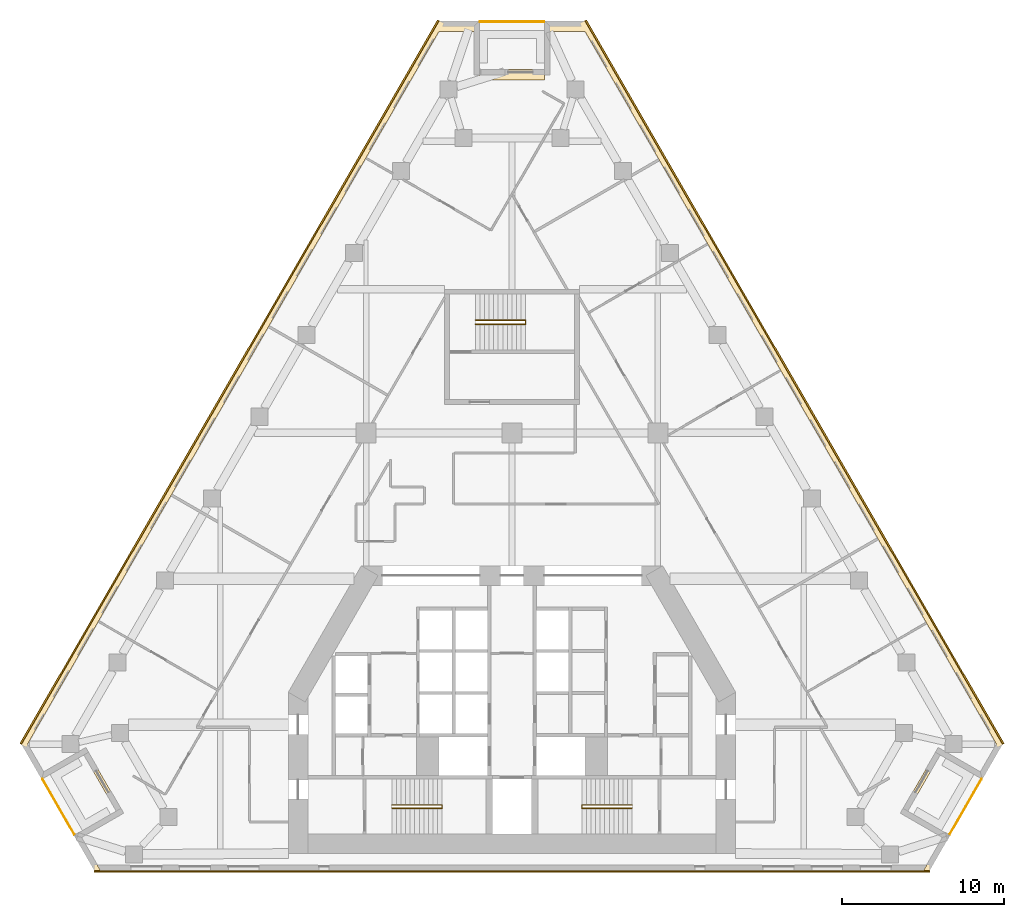
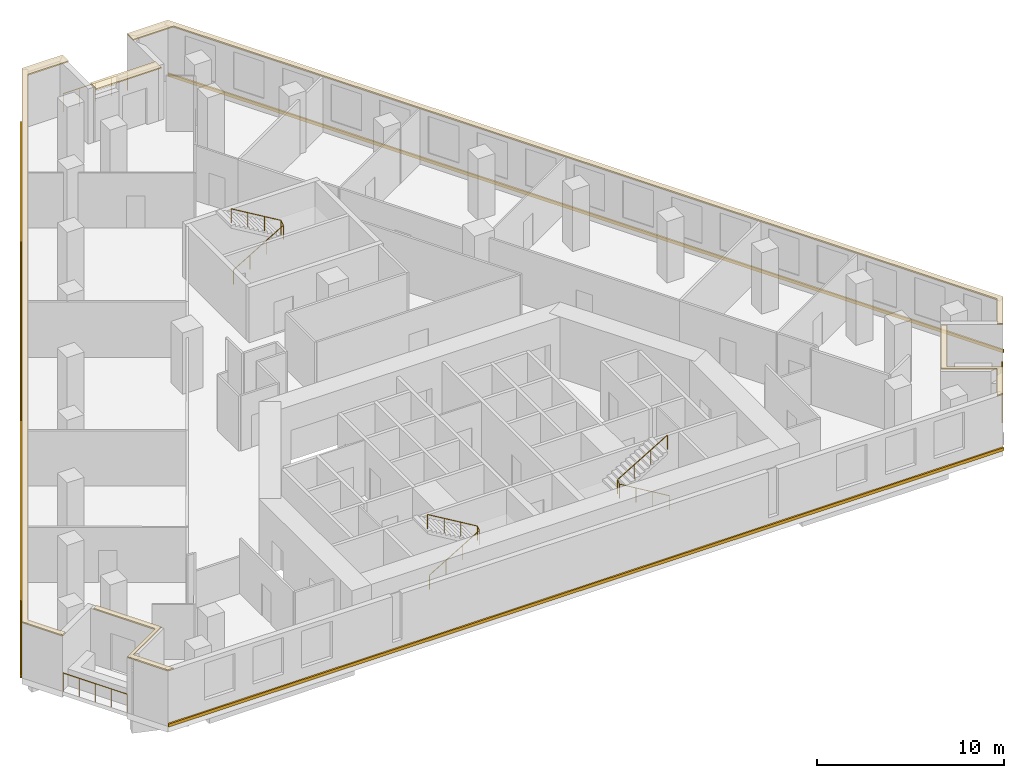
# One storey, part 10 of 10: 8 coverings, 6 railings.
"""IFC4 building model written with IfcOpenShell, lengths in metres."""

from ifc_helpers import new_model, si_unit, direction, frame, origin, origin_2d, place, context, subcontext, project, spatial, polyline, circle, outline, extrude, material, layer, layer_set, type_object, element, save


model = new_model("IFC4")

# Units and contexts
model_context = context("Model", 3, precision=1e-05, world=origin(), true_north=direction((0.0, 1.0)))
body_context = subcontext(model_context, "Body", "Model", "MODEL_VIEW")
ifc_project = project(units=[si_unit("LENGTHUNIT", "METRE"), si_unit("AREAUNIT", "SQUARE_METRE"), si_unit("VOLUMEUNIT", "CUBIC_METRE"), si_unit("PLANEANGLEUNIT", "RADIAN"), si_unit("MASSUNIT", "GRAM", prefix="KILO")], contexts=[model_context])

# Site, building, storey
site_placement = place(None, origin())
site = spatial("IfcSite", under=ifc_project, at=site_placement, CompositionType="ELEMENT")
building_placement = place(site_placement, origin())
building = spatial("IfcBuilding", under=site, at=building_placement, Name="Fogline Exchange Tower", CompositionType="ELEMENT")
storey_placement = place(building_placement, frame((0.0, 0.0, 116.10009765625)))
storey = spatial("IfcBuildingStorey", under=building, at=storey_placement, Name="L25", CompositionType="ELEMENT", Elevation=116.10009765625)

# Coverings
ifc_material_1 = material(Name="Granite", Category="masonry")
ifc_layer = layer(ifc_material_1, 0.080078125)
ifc_layer_set = layer_set([ifc_layer], Name="CP1")
covering_type_1 = type_object("IfcCoveringType", Name="CP1", PredefinedType="USERDEFINED", material=ifc_layer_set)
covering_1_placement = place(storey_placement, frame((0.0, 0.0, 3.599853515625)))
element("IfcCovering", 1, at=covering_1_placement, inside=storey, type_object=covering_type_1, Name="Ledge coping L25", ObjectType="COPING", PredefinedType="USERDEFINED", context=body_context, shape_type="SweptSolid", body=[
    extrude(outline(polyline([(-29.015625, 5.629150390625), (-28.736328125, 5.790283203125), (-29.893310546875, 7.794189453125), (-4.5, 51.776611328125), (-2.0, 51.776611328125), (-2.0, 52.421630859375), (-4.5, 52.421630859375), (-30.265625, 7.794189453125), (-29.015625, 5.629150390625)])), origin(), (0.0, 0.0, 1.0), 0.080078125),
])
covering_2_placement = place(storey_placement, frame((0.0, 0.0, 3.599853515625)))
element("IfcCovering", 2, at=covering_2_placement, inside=storey, type_object=covering_type_1, Name="Ledge coping L25", ObjectType="COPING", PredefinedType="USERDEFINED", context=body_context, shape_type="SweptSolid", body=[
    extrude(outline(polyline([(-25.765625, 0.0), (-25.393310546875, 0.0), (-26.643310546875, 2.1650390625), (-24.045166015625, 3.6650390625), (-26.045166015625, 7.129150390625), (-26.324462890625, 6.968017578125), (-24.41748046875, 3.6650390625), (-27.015625, 2.1650390625), (-25.765625, 0.0)])), origin(), (0.0, 0.0, 1.0), 0.080078125),
])
covering_3_placement = place(storey_placement, frame((0.0, 0.0, 3.599853515625)))
element("IfcCovering", 3, at=covering_3_placement, inside=storey, type_object=covering_type_1, Name="Ledge coping L25", ObjectType="COPING", PredefinedType="USERDEFINED", context=body_context, shape_type="SweptSolid", body=[
    extrude(outline(polyline([(24.41748046875, 3.6650390625), (26.324462890625, 6.968017578125), (26.045166015625, 7.129150390625), (24.045166015625, 3.6650390625), (26.643310546875, 2.1650390625), (25.393310546875, 0.0), (25.765625, 0.0), (27.015625, 2.1650390625), (24.41748046875, 3.6650390625)])), origin(), (0.0, 0.0, 1.0), 0.080078125),
])
covering_4_placement = place(storey_placement, frame((0.0, 0.0, 3.599853515625)))
element("IfcCovering", 4, at=covering_4_placement, inside=storey, type_object=covering_type_1, Name="Ledge coping L25", ObjectType="COPING", PredefinedType="USERDEFINED", context=body_context, shape_type="SweptSolid", body=[
    extrude(outline(polyline([(2.0, 52.421630859375), (2.0, 51.776611328125), (4.5, 51.776611328125), (29.893310546875, 7.794189453125), (28.736328125, 5.790283203125), (29.015625, 5.629150390625), (30.265625, 7.794189453125), (4.5, 52.421630859375), (2.0, 52.421630859375)])), origin(), (0.0, 0.0, 1.0), 0.080078125),
])
covering_5_placement = place(storey_placement, frame((0.0, 0.0, 3.599853515625)))
element("IfcCovering", 5, at=covering_5_placement, inside=storey, type_object=covering_type_1, Name="Ledge coping L25", ObjectType="COPING", PredefinedType="USERDEFINED", context=body_context, shape_type="SweptSolid", body=[
    extrude(outline(polyline([(2.0, 49.421630859375), (-2.0, 49.421630859375), (-2.0, 48.776611328125), (2.0, 48.776611328125), (2.0, 49.421630859375)])), origin(), (0.0, 0.0, 1.0), 0.080078125),
])

# Railings
ifc_material_2 = material(Name="Stainless steel 304", Category="steel")
railing_type_1 = type_object("IfcRailingType", Name="G1", PredefinedType="GUARDRAIL", material=ifc_material_2)
railing_1_placement = place(storey_placement, frame((-28.9619140625, 5.635986328125, 0.0)))
element("IfcRailing", 6, at=railing_1_placement, inside=storey, type_object=railing_type_1, Name="Balcony guard L25 SW", PredefinedType="GUARDRAIL", context=body_context, shape_type="SweptSolid", body=[
    extrude(circle(Radius=0.02392578125, at=origin_2d()), frame((0.0, 0.0, 1.17578125), z_axis=(0.500000102728, -0.866025344474, 0.0), x_axis=(0.866025344474, 0.500000102728, 0.0)), (0.0, 0.0, 1.0), 3.9580078125),
    extrude(circle(Radius=0.02099609375, at=origin_2d()), origin(), (0.0, 0.0, 1.0), 1.15185546875),
    extrude(circle(Radius=0.02099609375, at=origin_2d()), frame((0.49462890625, -0.85693359375, 0.0)), (0.0, 0.0, 1.0), 1.15185546875),
    extrude(circle(Radius=0.02099609375, at=origin_2d()), frame((0.989501953125, -1.7138671875, 0.0)), (0.0, 0.0, 1.0), 1.15185546875),
    extrude(circle(Radius=0.02099609375, at=origin_2d()), frame((1.484375, -2.57080078125, 0.0)), (0.0, 0.0, 1.0), 1.15185546875),
    extrude(circle(Radius=0.02099609375, at=origin_2d()), frame((1.97900390625, -3.427734375, 0.0)), (0.0, 0.0, 1.0), 1.15185546875),
])
railing_2_placement = place(storey_placement, frame((26.98291015625, 2.208251953125, 0.0)))
element("IfcRailing", 7, at=railing_2_placement, inside=storey, type_object=railing_type_1, Name="Balcony guard L25 SE", PredefinedType="GUARDRAIL", context=body_context, shape_type="SweptSolid", body=[
    extrude(circle(Radius=0.02392578125, at=origin_2d()), frame((0.0, 0.0, 1.17578125), z_axis=(0.500000102728, 0.866025344474, 0.0), x_axis=(-0.866025344474, 0.500000102728, 0.0)), (0.0, 0.0, 1.0), 3.9580078125),
    extrude(circle(Radius=0.02099609375, at=origin_2d()), origin(), (0.0, 0.0, 1.0), 1.15185546875),
    extrude(circle(Radius=0.02099609375, at=origin_2d()), frame((0.49462890625, 0.85693359375, 0.0)), (0.0, 0.0, 1.0), 1.15185546875),
    extrude(circle(Radius=0.02099609375, at=origin_2d()), frame((0.989501953125, 1.7138671875, 0.0)), (0.0, 0.0, 1.0), 1.15185546875),
    extrude(circle(Radius=0.02099609375, at=origin_2d()), frame((1.484375, 2.57080078125, 0.0)), (0.0, 0.0, 1.0), 1.15185546875),
    extrude(circle(Radius=0.02099609375, at=origin_2d()), frame((1.97900390625, 3.427734375, 0.0)), (0.0, 0.0, 1.0), 1.15185546875),
])
railing_3_placement = place(storey_placement, frame((1.97900390625, 52.37158203125, 0.0)))
element("IfcRailing", 8, at=railing_3_placement, inside=storey, type_object=railing_type_1, Name="Balcony guard L25 N", PredefinedType="GUARDRAIL", context=body_context, shape_type="SweptSolid", body=[
    extrude(circle(Radius=0.02392578125, at=origin_2d()), frame((0.0, 0.0, 1.17578125), z_axis=(-1.0, 0.0, 0.0), x_axis=(0.0, -1.0, 0.0)), (0.0, 0.0, 1.0), 3.9580078125),
    extrude(circle(Radius=0.02099609375, at=origin_2d()), origin(), (0.0, 0.0, 1.0), 1.15185546875),
    extrude(circle(Radius=0.02099609375, at=origin_2d()), frame((-0.989501953125, 0.0, 0.0)), (0.0, 0.0, 1.0), 1.15185546875),
    extrude(circle(Radius=0.02099609375, at=origin_2d()), frame((-1.97900390625, 0.0, 0.0)), (0.0, 0.0, 1.0), 1.15185546875),
    extrude(circle(Radius=0.02099609375, at=origin_2d()), frame((-2.968505859375, 0.0, 0.0)), (0.0, 0.0, 1.0), 1.15185546875),
    extrude(circle(Radius=0.02099609375, at=origin_2d()), frame((-3.9580078125, 0.0, 0.0)), (0.0, 0.0, 1.0), 1.15185546875),
])
ifc_material_3 = material(Name="Steel Q235B", Category="steel")
railing_type_2 = type_object("IfcRailingType", Name="RL-HR", PredefinedType="HANDRAIL", material=ifc_material_3)
railing_4_placement = place(storey_placement, frame((-7.39990234375, 3.85009765625, 0.16650390625)))
element("IfcRailing", 9, at=railing_4_placement, inside=storey, type_object=railing_type_2, Name="Handrail ST1", PredefinedType="HANDRAIL", context=body_context, shape_type="SweptSolid", body=[
    extrude(circle(Radius=0.02392578125, at=origin_2d()), frame((0.0, 0.0, 0.92578125), z_axis=(0.859260807169, 0.0, 0.511537745687), x_axis=(0.0, 1.0, 0.0)), (0.0, 0.0, 1.0), 3.584228515625),
    extrude(circle(Radius=0.02392578125, at=origin_2d()), frame((3.079833984375, 0.0, 2.75927734375), z_axis=(0.0, 0.768451954486, 0.639907488351), x_axis=(-1.0, 0.0, 0.0)), (0.0, 0.0, 1.0), 0.26025390625),
    extrude(circle(Radius=0.02392578125, at=origin_2d()), frame((3.079833984375, 0.199951171875, 2.92578125), z_axis=(-0.859260807169, 0.0, 0.511537745687), x_axis=(0.0, -1.0, 0.0)), (0.0, 0.0, 1.0), 3.584228515625),
    extrude(circle(Radius=0.02099609375, at=origin_2d()), origin(), (0.0, 0.0, 1.0), 0.90185546875),
    extrude(circle(Radius=0.02099609375, at=origin_2d()), frame((1.026611328125, 0.0, 0.611083984375)), (0.0, 0.0, 1.0), 0.90185546875),
    extrude(circle(Radius=0.02099609375, at=origin_2d()), frame((2.05322265625, 0.0, 1.222412109375)), (0.0, 0.0, 1.0), 0.90185546875),
    extrude(circle(Radius=0.02099609375, at=origin_2d()), frame((3.079833984375, 0.0, 1.83349609375)), (0.0, 0.0, 1.0), 0.90185546875),
    extrude(circle(Radius=0.02099609375, at=origin_2d()), frame((3.079833984375, 0.199951171875, 2.0)), (0.0, 0.0, 1.0), 0.90185546875),
    extrude(circle(Radius=0.02099609375, at=origin_2d()), frame((2.05322265625, 0.199951171875, 2.611083984375)), (0.0, 0.0, 1.0), 0.90185546875),
    extrude(circle(Radius=0.02099609375, at=origin_2d()), frame((1.026611328125, 0.199951171875, 3.222412109375)), (0.0, 0.0, 1.0), 0.90185546875),
    extrude(circle(Radius=0.02099609375, at=origin_2d()), frame((0.0, 0.199951171875, 3.83349609375)), (0.0, 0.0, 1.0), 0.90185546875),
])
railing_5_placement = place(storey_placement, frame((7.39990234375, 3.85009765625, 0.16650390625)))
element("IfcRailing", 10, at=railing_5_placement, inside=storey, type_object=railing_type_2, Name="Handrail ST2", PredefinedType="HANDRAIL", context=body_context, shape_type="SweptSolid", body=[
    extrude(circle(Radius=0.02392578125, at=origin_2d()), frame((0.0, 0.0, 0.92578125), z_axis=(-0.859260807169, 0.0, 0.511537745687), x_axis=(0.0, -1.0, 0.0)), (0.0, 0.0, 1.0), 3.584228515625),
    extrude(circle(Radius=0.02392578125, at=origin_2d()), frame((-3.079833984375, 0.0, 2.75927734375), z_axis=(0.0, 0.768451954486, 0.639907488351), x_axis=(-1.0, 0.0, 0.0)), (0.0, 0.0, 1.0), 0.26025390625),
    extrude(circle(Radius=0.02392578125, at=origin_2d()), frame((-3.079833984375, 0.199951171875, 2.92578125), z_axis=(0.859260807169, 0.0, 0.511537745687), x_axis=(0.0, 1.0, 0.0)), (0.0, 0.0, 1.0), 3.584228515625),
    extrude(circle(Radius=0.02099609375, at=origin_2d()), origin(), (0.0, 0.0, 1.0), 0.90185546875),
    extrude(circle(Radius=0.02099609375, at=origin_2d()), frame((-1.026611328125, 0.0, 0.611083984375)), (0.0, 0.0, 1.0), 0.90185546875),
    extrude(circle(Radius=0.02099609375, at=origin_2d()), frame((-2.05322265625, 0.0, 1.222412109375)), (0.0, 0.0, 1.0), 0.90185546875),
    extrude(circle(Radius=0.02099609375, at=origin_2d()), frame((-3.079833984375, 0.0, 1.83349609375)), (0.0, 0.0, 1.0), 0.90185546875),
    extrude(circle(Radius=0.02099609375, at=origin_2d()), frame((-3.079833984375, 0.199951171875, 2.0)), (0.0, 0.0, 1.0), 0.90185546875),
    extrude(circle(Radius=0.02099609375, at=origin_2d()), frame((-2.05322265625, 0.199951171875, 2.611083984375)), (0.0, 0.0, 1.0), 0.90185546875),
    extrude(circle(Radius=0.02099609375, at=origin_2d()), frame((-1.026611328125, 0.199951171875, 3.222412109375)), (0.0, 0.0, 1.0), 0.90185546875),
    extrude(circle(Radius=0.02099609375, at=origin_2d()), frame((0.0, 0.199951171875, 3.83349609375)), (0.0, 0.0, 1.0), 0.90185546875),
])
railing_6_placement = place(storey_placement, frame((-2.25, 33.70703125, 0.16650390625)))
element("IfcRailing", 11, at=railing_6_placement, inside=storey, type_object=railing_type_2, Name="Handrail ST3", PredefinedType="HANDRAIL", context=body_context, shape_type="SweptSolid", body=[
    extrude(circle(Radius=0.02392578125, at=origin_2d()), frame((0.0, 0.0, 0.92578125), z_axis=(0.85927862911, 0.0, 0.511507807912), x_axis=(0.0, 1.0, 0.0)), (0.0, 0.0, 1.0), 3.58447265625),
    extrude(circle(Radius=0.02392578125, at=origin_2d()), frame((3.080078125, 0.0, 2.75927734375), z_axis=(0.0, 0.832300300006, 0.554325004496), x_axis=(-1.0, 0.0, 0.0)), (0.0, 0.0, 1.0), 0.30029296875),
    extrude(circle(Radius=0.02392578125, at=origin_2d()), frame((3.080078125, 0.25, 2.92578125), z_axis=(-0.85927862911, 0.0, 0.511507807912), x_axis=(0.0, -1.0, 0.0)), (0.0, 0.0, 1.0), 3.58447265625),
    extrude(circle(Radius=0.02099609375, at=origin_2d()), origin(), (0.0, 0.0, 1.0), 0.90185546875),
    extrude(circle(Radius=0.02099609375, at=origin_2d()), frame((1.026611328125, 0.0, 0.611083984375)), (0.0, 0.0, 1.0), 0.90185546875),
    extrude(circle(Radius=0.02099609375, at=origin_2d()), frame((2.053466796875, 0.0, 1.222412109375)), (0.0, 0.0, 1.0), 0.90185546875),
    extrude(circle(Radius=0.02099609375, at=origin_2d()), frame((3.080078125, 0.0, 1.83349609375)), (0.0, 0.0, 1.0), 0.90185546875),
    extrude(circle(Radius=0.02099609375, at=origin_2d()), frame((3.080078125, 0.25, 2.0)), (0.0, 0.0, 1.0), 0.90185546875),
    extrude(circle(Radius=0.02099609375, at=origin_2d()), frame((2.053466796875, 0.25, 2.611083984375)), (0.0, 0.0, 1.0), 0.90185546875),
    extrude(circle(Radius=0.02099609375, at=origin_2d()), frame((1.026611328125, 0.25, 3.222412109375)), (0.0, 0.0, 1.0), 0.90185546875),
    extrude(circle(Radius=0.02099609375, at=origin_2d()), frame((0.0, 0.25, 3.83349609375)), (0.0, 0.0, 1.0), 0.90185546875),
])

# Coverings
ifc_material_4 = material(Name="Brick masonry", Category="masonry")
covering_type_2 = type_object("IfcCoveringType", Name="SB1", PredefinedType="CLADDING", material=ifc_material_4)
covering_6_placement = place(storey_placement, origin())
element("IfcCovering", 12, at=covering_6_placement, inside=storey, type_object=covering_type_2, Name="Stringcourse band L25 S", PredefinedType="CLADDING", context=body_context, shape_type="SweptSolid", body=[
    extrude(outline(polyline([(-25.765625, 0.0), (-25.765625, -0.10009765625), (25.765625, -0.10009765625), (25.765625, 0.0), (-25.765625, 0.0)])), origin(), (0.0, 0.0, 1.0), 0.199951171875),
])
covering_7_placement = place(storey_placement, origin())
element("IfcCovering", 13, at=covering_7_placement, inside=storey, type_object=covering_type_2, Name="Stringcourse band L25 E", PredefinedType="CLADDING", context=body_context, shape_type="SweptSolid", body=[
    extrude(outline(polyline([(30.265625, 7.794189453125), (30.352294921875, 7.84423828125), (4.586669921875, 52.4716796875), (4.5, 52.421630859375), (30.265625, 7.794189453125)])), origin(), (0.0, 0.0, 1.0), 0.199951171875),
])
covering_8_placement = place(storey_placement, origin())
element("IfcCovering", 14, at=covering_8_placement, inside=storey, type_object=covering_type_2, Name="Stringcourse band L25 W", PredefinedType="CLADDING", context=body_context, shape_type="SweptSolid", body=[
    extrude(outline(polyline([(-4.5, 52.421630859375), (-4.586669921875, 52.4716796875), (-30.352294921875, 7.84423828125), (-30.265625, 7.794189453125), (-4.5, 52.421630859375)])), origin(), (0.0, 0.0, 1.0), 0.199951171875),
])

save(model, "model.ifc")
